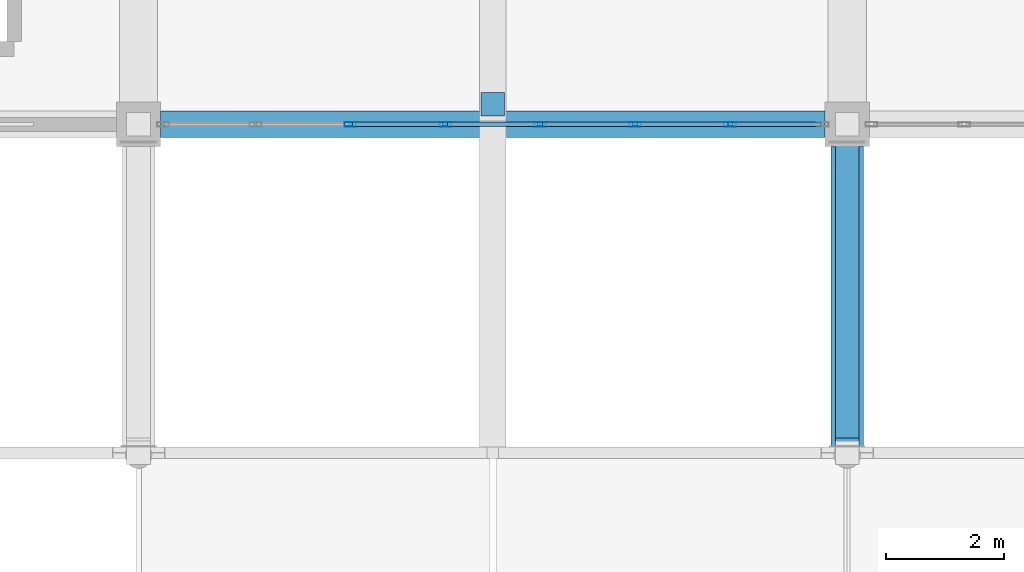
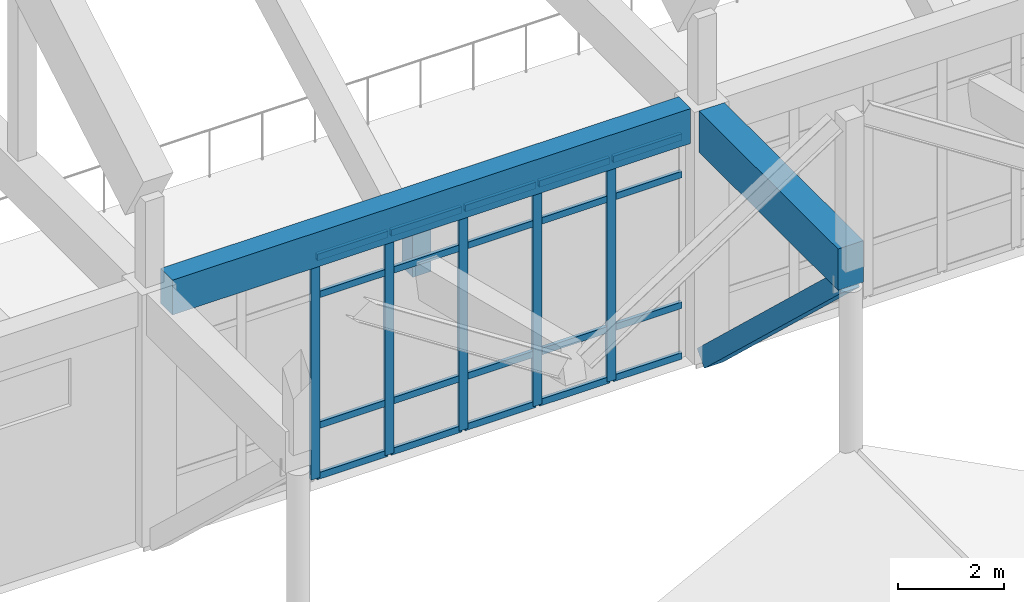
# One storey, part 48 of 236: 27 members, 2 beams, 1 element without a shape of its own.
"""IFC4 building model written with IfcOpenShell, lengths in metres."""

from ifc_helpers import new_model, si_unit, direction, frame, origin, origin_2d, place, context, subcontext, project, spatial, rectangle, hollow_rectangle, extrude, material, layer, layer_set, material_profile, profile_set, type_object, element, aggregate, save


model = new_model("IFC4")

# Units and contexts
model_context = context("Model", 3, precision=1e-05, world=origin(), true_north=direction((0.0, 1.0)))
body_context = subcontext(model_context, "Body", "Model", "MODEL_VIEW")
ifc_project = project(units=[si_unit("LENGTHUNIT", "METRE"), si_unit("AREAUNIT", "SQUARE_METRE"), si_unit("VOLUMEUNIT", "CUBIC_METRE"), si_unit("PLANEANGLEUNIT", "RADIAN"), si_unit("MASSUNIT", "GRAM", prefix="KILO")], contexts=[model_context])

# Site, building, storey
site_placement = place(None, origin())
site = spatial("IfcSite", under=ifc_project, at=site_placement, CompositionType="ELEMENT")
building_placement = place(site_placement, origin())
building = spatial("IfcBuilding", under=site, at=building_placement, Name="Pandanus Reach Market Hall", CompositionType="ELEMENT")
storey_placement = place(building_placement, frame((0.0, 0.0, 5.39990234375)))
storey = spatial("IfcBuildingStorey", under=building, at=storey_placement, Name="L01", CompositionType="ELEMENT", Elevation=5.39990234375)

# Member
ifc_material_1 = material(Name="Concrete N50 (50 MPa)", Category="concrete")
ifc_material_profile_1 = material_profile(ifc_material_1, rectangle(XDim=0.39990234375, YDim=0.39990234375, at=origin_2d()), Name="RC400x400", Category="LoadBearing")
ifc_profile_set_1 = profile_set([ifc_material_profile_1], Name="Concrete N50 (50 MPa)")
member_type_1 = type_object("IfcMemberType", Name="AR-WEB400-E", PredefinedType="STRUT", material=ifc_profile_set_1)
member_1_placement = place(storey_placement, frame((66.0, 29.139892578125, 3.739990234375), z_axis=(0.0, 0.0, 1.0), x_axis=(1.0, 0.0, 0.0)))
element("IfcMember", 1, at=member_1_placement, inside=storey, type_object=member_type_1, Name="Butterfly south eave valley hanger B2S", PredefinedType="STRUT", context=body_context, shape_type="SweptSolid", body=[
    extrude(rectangle(XDim=0.39990234375, YDim=0.39990234375, at=origin_2d()), origin(), (0.0, 0.0, 1.0), 1.66015625),
])

# Beams
ifc_material_2 = material(Name="Concrete N40 (40 MPa)", Category="concrete")
ifc_material_profile_2 = material_profile(ifc_material_2, rectangle(XDim=0.449951171875, YDim=0.800048828125, at=origin_2d()), Name="RC450x800", Category="LoadBearing")
ifc_profile_set_2 = profile_set([ifc_material_profile_2], Name="Concrete N40 (40 MPa)")
beam_type_1 = type_object("IfcBeamType", Name="BM-RC450-E", PredefinedType="SPANDREL", material=ifc_profile_set_2)
beam_1_placement = place(storey_placement, frame((60.373046875, 28.800048828125, 5.400146484375), z_axis=(1.0, 0.0, 0.0), x_axis=(0.0, 1.0, 0.0)))
element("IfcBeam", 2, at=beam_1_placement, inside=storey, type_object=beam_type_1, Name="Framing beam BM-RC450-E L01.1139", PredefinedType="SPANDREL", context=body_context, shape_type="SweptSolid", body=[
    extrude(rectangle(XDim=0.449951171875, YDim=0.800048828125, at=origin_2d()), origin(), (0.0, 0.0, 1.0), 11.25390625),
])
ifc_material_profile_3 = material_profile(ifc_material_1, rectangle(XDim=0.550048828125, YDim=0.949951171875, at=origin_2d()), Name="RC550x950", Category="LoadBearing")
ifc_profile_set_3 = profile_set([ifc_material_profile_3], Name="Concrete N50 (50 MPa)")
beam_type_2 = type_object("IfcBeamType", Name="BM-RC550-E", PredefinedType="BEAM", material=ifc_profile_set_3)
beam_2_placement = place(storey_placement, frame((72.0, 23.199951171875, 5.3251953125), z_axis=(0.0, 1.0, 0.0), x_axis=(-1.0, 0.0, 0.0)))
element("IfcBeam", 3, at=beam_2_placement, inside=storey, type_object=beam_type_2, Name="Zigzag south eaves cantilever girder A3", PredefinedType="BEAM", context=body_context, shape_type="SweptSolid", body=[
    extrude(rectangle(XDim=0.550048828125, YDim=0.949951171875, at=origin_2d()), origin(), (0.0, 0.0, 1.0), 5.22998046875),
])

# Curtain wall, members
ifc_material_3 = material(Name="Bronze anodised aluminium and low-E glass", Category="aluminium")
ifc_layer = layer(ifc_material_3, 0.199951171875, Name="CW-02")
ifc_layer_set = layer_set([ifc_layer], Name="Bronze anodised aluminium and low-E glass")
curtain_wall_type = type_object("IfcCurtainWallType", Name="CW-02", PredefinedType="NOTDEFINED", material=ifc_layer_set)
curtain_wall_placement = place(storey_placement, origin())
curtain_wall = element("IfcCurtainWall", 4, at=curtain_wall_placement, inside=storey, type_object=curtain_wall_type, Name="Glazed curtain wall CW-02 CW-0002", PredefinedType="NOTDEFINED")
ifc_material_4 = material(Name="Bronze anodised aluminium", Category="aluminium")
ifc_material_profile_4 = material_profile(ifc_material_4, hollow_rectangle(XDim=0.074951171875, YDim=0.199951171875, WallThickness=0.00439453125, at=origin_2d()), Name="ALU75x200", Category="LoadBearing")
ifc_profile_set_4 = profile_set([ifc_material_profile_4], Name="Bronze anodised aluminium")
member_type_2 = type_object("IfcMemberType", Name="CW-M2", PredefinedType="MULLION", material=ifc_profile_set_4)
member_2_placement = place(storey_placement, frame((63.58935546875, 28.800048828125, 0.0), z_axis=(0.0, 0.0, 1.0), x_axis=(0.0, 1.0, 0.0)))
member_2 = element("IfcMember", 5, at=member_2_placement, type_object=member_type_2, Name="CW-02 mullion 3", PredefinedType="MULLION", context=body_context, shape_type="SweptSolid", body=[
    extrude(hollow_rectangle(XDim=0.074951171875, YDim=0.199951171875, WallThickness=0.00439453125, at=origin_2d()), origin(), (0.0, 0.0, 1.0), 5.10009765625),
])
member_3_placement = place(storey_placement, frame((65.196533203125, 28.800048828125, 0.0), z_axis=(0.0, 0.0, 1.0), x_axis=(0.0, 1.0, 0.0)))
member_3 = element("IfcMember", 6, at=member_3_placement, type_object=member_type_2, Name="CW-02 mullion 4", PredefinedType="MULLION", context=body_context, shape_type="SweptSolid", body=[
    extrude(hollow_rectangle(XDim=0.074951171875, YDim=0.199951171875, WallThickness=0.00439453125, at=origin_2d()), origin(), (0.0, 0.0, 1.0), 5.10009765625),
])
member_4_placement = place(storey_placement, frame((66.803466796875, 28.800048828125, 0.0), z_axis=(0.0, 0.0, 1.0), x_axis=(0.0, 1.0, 0.0)))
member_4 = element("IfcMember", 7, at=member_4_placement, type_object=member_type_2, Name="CW-02 mullion 5", PredefinedType="MULLION", context=body_context, shape_type="SweptSolid", body=[
    extrude(hollow_rectangle(XDim=0.074951171875, YDim=0.199951171875, WallThickness=0.00439453125, at=origin_2d()), origin(), (0.0, 0.0, 1.0), 5.10009765625),
])
member_5_placement = place(storey_placement, frame((68.41064453125, 28.800048828125, 0.0), z_axis=(0.0, 0.0, 1.0), x_axis=(0.0, 1.0, 0.0)))
member_5 = element("IfcMember", 8, at=member_5_placement, type_object=member_type_2, Name="CW-02 mullion 6", PredefinedType="MULLION", context=body_context, shape_type="SweptSolid", body=[
    extrude(hollow_rectangle(XDim=0.074951171875, YDim=0.199951171875, WallThickness=0.00439453125, at=origin_2d()), origin(), (0.0, 0.0, 1.0), 5.10009765625),
])
member_6_placement = place(storey_placement, frame((70.017822265625, 28.800048828125, 0.0), z_axis=(0.0, 0.0, 1.0), x_axis=(0.0, 1.0, 0.0)))
member_6 = element("IfcMember", 9, at=member_6_placement, type_object=member_type_2, Name="CW-02 mullion 7", PredefinedType="MULLION", context=body_context, shape_type="SweptSolid", body=[
    extrude(hollow_rectangle(XDim=0.074951171875, YDim=0.199951171875, WallThickness=0.00439453125, at=origin_2d()), origin(), (0.0, 0.0, 1.0), 5.10009765625),
])
ifc_material_profile_5 = material_profile(ifc_material_4, hollow_rectangle(XDim=0.074951171875, YDim=0.14990234375, WallThickness=0.00439453125, at=origin_2d()), Name="ALU75x150", Category="LoadBearing")
ifc_profile_set_5 = profile_set([ifc_material_profile_5], Name="Bronze anodised aluminium")
member_type_3 = type_object("IfcMemberType", Name="CW-T2", PredefinedType="USERDEFINED", material=ifc_profile_set_5)
member_7_placement = place(storey_placement, frame((63.626708984375, 28.800048828125, 0.03759765625), z_axis=(1.0, 0.0, 0.0), x_axis=(0.0, 1.0, 0.0)))
member_7 = element("IfcMember", 10, at=member_7_placement, type_object=member_type_3, Name="CW-02 transom 3.1", ObjectType="TRANSOM", PredefinedType="USERDEFINED", context=body_context, shape_type="SweptSolid", body=[
    extrude(hollow_rectangle(XDim=0.074951171875, YDim=0.14990234375, WallThickness=0.00439453125, at=origin_2d()), origin(), (0.0, 0.0, 1.0), 1.5322265625),
])
member_8_placement = place(storey_placement, frame((63.626708984375, 28.800048828125, 1.2001953125), z_axis=(1.0, 0.0, 0.0), x_axis=(0.0, 1.0, 0.0)))
member_8 = element("IfcMember", 11, at=member_8_placement, type_object=member_type_3, Name="CW-02 transom 3.2", ObjectType="TRANSOM", PredefinedType="USERDEFINED", context=body_context, shape_type="SweptSolid", body=[
    extrude(hollow_rectangle(XDim=0.074951171875, YDim=0.14990234375, WallThickness=0.00439453125, at=origin_2d()), origin(), (0.0, 0.0, 1.0), 1.5322265625),
])
member_9_placement = place(storey_placement, frame((63.626708984375, 28.800048828125, 4.2001953125), z_axis=(1.0, 0.0, 0.0), x_axis=(0.0, 1.0, 0.0)))
member_9 = element("IfcMember", 12, at=member_9_placement, type_object=member_type_3, Name="CW-02 transom 3.3", ObjectType="TRANSOM", PredefinedType="USERDEFINED", context=body_context, shape_type="SweptSolid", body=[
    extrude(hollow_rectangle(XDim=0.074951171875, YDim=0.14990234375, WallThickness=0.00439453125, at=origin_2d()), origin(), (0.0, 0.0, 1.0), 1.5322265625),
])
member_10_placement = place(storey_placement, frame((63.626708984375, 28.800048828125, 5.0625), z_axis=(1.0, 0.0, 0.0), x_axis=(0.0, 1.0, 0.0)))
member_10 = element("IfcMember", 13, at=member_10_placement, type_object=member_type_3, Name="CW-02 transom 3.4", ObjectType="TRANSOM", PredefinedType="USERDEFINED", context=body_context, shape_type="SweptSolid", body=[
    extrude(hollow_rectangle(XDim=0.074951171875, YDim=0.14990234375, WallThickness=0.00439453125, at=origin_2d()), origin(), (0.0, 0.0, 1.0), 1.5322265625),
])
member_11_placement = place(storey_placement, frame((65.23388671875, 28.800048828125, 0.03759765625), z_axis=(1.0, 0.0, 0.0), x_axis=(0.0, 1.0, 0.0)))
member_11 = element("IfcMember", 14, at=member_11_placement, type_object=member_type_3, Name="CW-02 transom 4.1", ObjectType="TRANSOM", PredefinedType="USERDEFINED", context=body_context, shape_type="SweptSolid", body=[
    extrude(hollow_rectangle(XDim=0.074951171875, YDim=0.14990234375, WallThickness=0.00439453125, at=origin_2d()), origin(), (0.0, 0.0, 1.0), 1.5322265625),
])
member_12_placement = place(storey_placement, frame((65.23388671875, 28.800048828125, 1.2001953125), z_axis=(1.0, 0.0, 0.0), x_axis=(0.0, 1.0, 0.0)))
member_12 = element("IfcMember", 15, at=member_12_placement, type_object=member_type_3, Name="CW-02 transom 4.2", ObjectType="TRANSOM", PredefinedType="USERDEFINED", context=body_context, shape_type="SweptSolid", body=[
    extrude(hollow_rectangle(XDim=0.074951171875, YDim=0.14990234375, WallThickness=0.00439453125, at=origin_2d()), origin(), (0.0, 0.0, 1.0), 1.5322265625),
])
member_13_placement = place(storey_placement, frame((65.23388671875, 28.800048828125, 4.2001953125), z_axis=(1.0, 0.0, 0.0), x_axis=(0.0, 1.0, 0.0)))
member_13 = element("IfcMember", 16, at=member_13_placement, type_object=member_type_3, Name="CW-02 transom 4.3", ObjectType="TRANSOM", PredefinedType="USERDEFINED", context=body_context, shape_type="SweptSolid", body=[
    extrude(hollow_rectangle(XDim=0.074951171875, YDim=0.14990234375, WallThickness=0.00439453125, at=origin_2d()), origin(), (0.0, 0.0, 1.0), 1.5322265625),
])
member_14_placement = place(storey_placement, frame((65.23388671875, 28.800048828125, 5.0625), z_axis=(1.0, 0.0, 0.0), x_axis=(0.0, 1.0, 0.0)))
member_14 = element("IfcMember", 17, at=member_14_placement, type_object=member_type_3, Name="CW-02 transom 4.4", ObjectType="TRANSOM", PredefinedType="USERDEFINED", context=body_context, shape_type="SweptSolid", body=[
    extrude(hollow_rectangle(XDim=0.074951171875, YDim=0.14990234375, WallThickness=0.00439453125, at=origin_2d()), origin(), (0.0, 0.0, 1.0), 1.5322265625),
])
member_15_placement = place(storey_placement, frame((66.841064453125, 28.800048828125, 0.03759765625), z_axis=(1.0, 0.0, 0.0), x_axis=(0.0, 1.0, 0.0)))
member_15 = element("IfcMember", 18, at=member_15_placement, type_object=member_type_3, Name="CW-02 transom 5.1", ObjectType="TRANSOM", PredefinedType="USERDEFINED", context=body_context, shape_type="SweptSolid", body=[
    extrude(hollow_rectangle(XDim=0.074951171875, YDim=0.14990234375, WallThickness=0.00439453125, at=origin_2d()), origin(), (0.0, 0.0, 1.0), 1.5322265625),
])
member_16_placement = place(storey_placement, frame((66.841064453125, 28.800048828125, 1.2001953125), z_axis=(1.0, 0.0, 0.0), x_axis=(0.0, 1.0, 0.0)))
member_16 = element("IfcMember", 19, at=member_16_placement, type_object=member_type_3, Name="CW-02 transom 5.2", ObjectType="TRANSOM", PredefinedType="USERDEFINED", context=body_context, shape_type="SweptSolid", body=[
    extrude(hollow_rectangle(XDim=0.074951171875, YDim=0.14990234375, WallThickness=0.00439453125, at=origin_2d()), origin(), (0.0, 0.0, 1.0), 1.5322265625),
])
member_17_placement = place(storey_placement, frame((66.841064453125, 28.800048828125, 4.2001953125), z_axis=(1.0, 0.0, 0.0), x_axis=(0.0, 1.0, 0.0)))
member_17 = element("IfcMember", 20, at=member_17_placement, type_object=member_type_3, Name="CW-02 transom 5.3", ObjectType="TRANSOM", PredefinedType="USERDEFINED", context=body_context, shape_type="SweptSolid", body=[
    extrude(hollow_rectangle(XDim=0.074951171875, YDim=0.14990234375, WallThickness=0.00439453125, at=origin_2d()), origin(), (0.0, 0.0, 1.0), 1.5322265625),
])
member_18_placement = place(storey_placement, frame((66.841064453125, 28.800048828125, 5.0625), z_axis=(1.0, 0.0, 0.0), x_axis=(0.0, 1.0, 0.0)))
member_18 = element("IfcMember", 21, at=member_18_placement, type_object=member_type_3, Name="CW-02 transom 5.4", ObjectType="TRANSOM", PredefinedType="USERDEFINED", context=body_context, shape_type="SweptSolid", body=[
    extrude(hollow_rectangle(XDim=0.074951171875, YDim=0.14990234375, WallThickness=0.00439453125, at=origin_2d()), origin(), (0.0, 0.0, 1.0), 1.5322265625),
])
member_19_placement = place(storey_placement, frame((68.4482421875, 28.800048828125, 0.03759765625), z_axis=(1.0, 0.0, 0.0), x_axis=(0.0, 1.0, 0.0)))
member_19 = element("IfcMember", 22, at=member_19_placement, type_object=member_type_3, Name="CW-02 transom 6.1", ObjectType="TRANSOM", PredefinedType="USERDEFINED", context=body_context, shape_type="SweptSolid", body=[
    extrude(hollow_rectangle(XDim=0.074951171875, YDim=0.14990234375, WallThickness=0.00439453125, at=origin_2d()), origin(), (0.0, 0.0, 1.0), 1.5322265625),
])
member_20_placement = place(storey_placement, frame((68.4482421875, 28.800048828125, 1.2001953125), z_axis=(1.0, 0.0, 0.0), x_axis=(0.0, 1.0, 0.0)))
member_20 = element("IfcMember", 23, at=member_20_placement, type_object=member_type_3, Name="CW-02 transom 6.2", ObjectType="TRANSOM", PredefinedType="USERDEFINED", context=body_context, shape_type="SweptSolid", body=[
    extrude(hollow_rectangle(XDim=0.074951171875, YDim=0.14990234375, WallThickness=0.00439453125, at=origin_2d()), origin(), (0.0, 0.0, 1.0), 1.5322265625),
])
member_21_placement = place(storey_placement, frame((68.4482421875, 28.800048828125, 4.2001953125), z_axis=(1.0, 0.0, 0.0), x_axis=(0.0, 1.0, 0.0)))
member_21 = element("IfcMember", 24, at=member_21_placement, type_object=member_type_3, Name="CW-02 transom 6.3", ObjectType="TRANSOM", PredefinedType="USERDEFINED", context=body_context, shape_type="SweptSolid", body=[
    extrude(hollow_rectangle(XDim=0.074951171875, YDim=0.14990234375, WallThickness=0.00439453125, at=origin_2d()), origin(), (0.0, 0.0, 1.0), 1.5322265625),
])
member_22_placement = place(storey_placement, frame((68.4482421875, 28.800048828125, 5.0625), z_axis=(1.0, 0.0, 0.0), x_axis=(0.0, 1.0, 0.0)))
member_22 = element("IfcMember", 25, at=member_22_placement, type_object=member_type_3, Name="CW-02 transom 6.4", ObjectType="TRANSOM", PredefinedType="USERDEFINED", context=body_context, shape_type="SweptSolid", body=[
    extrude(hollow_rectangle(XDim=0.074951171875, YDim=0.14990234375, WallThickness=0.00439453125, at=origin_2d()), origin(), (0.0, 0.0, 1.0), 1.5322265625),
])
member_23_placement = place(storey_placement, frame((70.055419921875, 28.800048828125, 0.03759765625), z_axis=(1.0, 0.0, 0.0), x_axis=(0.0, 1.0, 0.0)))
member_23 = element("IfcMember", 26, at=member_23_placement, type_object=member_type_3, Name="CW-02 transom 7.1", ObjectType="TRANSOM", PredefinedType="USERDEFINED", context=body_context, shape_type="SweptSolid", body=[
    extrude(hollow_rectangle(XDim=0.074951171875, YDim=0.14990234375, WallThickness=0.00439453125, at=origin_2d()), origin(), (0.0, 0.0, 1.0), 1.49462890625),
])
member_24_placement = place(storey_placement, frame((70.055419921875, 28.800048828125, 1.2001953125), z_axis=(1.0, 0.0, 0.0), x_axis=(0.0, 1.0, 0.0)))
member_24 = element("IfcMember", 27, at=member_24_placement, type_object=member_type_3, Name="CW-02 transom 7.2", ObjectType="TRANSOM", PredefinedType="USERDEFINED", context=body_context, shape_type="SweptSolid", body=[
    extrude(hollow_rectangle(XDim=0.074951171875, YDim=0.14990234375, WallThickness=0.00439453125, at=origin_2d()), origin(), (0.0, 0.0, 1.0), 1.49462890625),
])
member_25_placement = place(storey_placement, frame((70.055419921875, 28.800048828125, 4.2001953125), z_axis=(1.0, 0.0, 0.0), x_axis=(0.0, 1.0, 0.0)))
member_25 = element("IfcMember", 28, at=member_25_placement, type_object=member_type_3, Name="CW-02 transom 7.3", ObjectType="TRANSOM", PredefinedType="USERDEFINED", context=body_context, shape_type="SweptSolid", body=[
    extrude(hollow_rectangle(XDim=0.074951171875, YDim=0.14990234375, WallThickness=0.00439453125, at=origin_2d()), origin(), (0.0, 0.0, 1.0), 1.49462890625),
])
member_26_placement = place(storey_placement, frame((70.055419921875, 28.800048828125, 5.0625), z_axis=(1.0, 0.0, 0.0), x_axis=(0.0, 1.0, 0.0)))
member_26 = element("IfcMember", 29, at=member_26_placement, type_object=member_type_3, Name="CW-02 transom 7.4", ObjectType="TRANSOM", PredefinedType="USERDEFINED", context=body_context, shape_type="SweptSolid", body=[
    extrude(hollow_rectangle(XDim=0.074951171875, YDim=0.14990234375, WallThickness=0.00439453125, at=origin_2d()), origin(), (0.0, 0.0, 1.0), 1.49462890625),
])
aggregate(curtain_wall, [member_2, member_3, member_4, member_5, member_6, member_7, member_8, member_9, member_10, member_11, member_12, member_13, member_14, member_15, member_16, member_17, member_18, member_19, member_20, member_21, member_22, member_23, member_24, member_25, member_26])

# Member
ifc_material_profile_6 = material_profile(ifc_material_1, rectangle(XDim=0.39990234375, YDim=0.39990234375, at=origin_2d()), Name="RC400x400", Category="LoadBearing")
ifc_profile_set_6 = profile_set([ifc_material_profile_6], Name="Concrete N50 (50 MPa)")
member_type_4 = type_object("IfcMemberType", Name="VS-RC400-E", PredefinedType="STRUT", material=ifc_profile_set_6)
member_27_placement = place(storey_placement, frame((72.0, 28.5, 0.050048828125), z_axis=(0.0, -0.72797908325, 0.68559933952), x_axis=(1.0, 0.0, 0.0)))
element("IfcMember", 30, at=member_27_placement, inside=storey, type_object=member_type_4, Name="Splayed concrete south arcade V-strut A3.1", PredefinedType="STRUT", context=body_context, shape_type="SweptSolid", body=[
    extrude(rectangle(XDim=0.39990234375, YDim=0.39990234375, at=origin_2d()), origin(), (0.0, 0.0, 1.0), 7.07421875),
])

save(model, "model.ifc")
